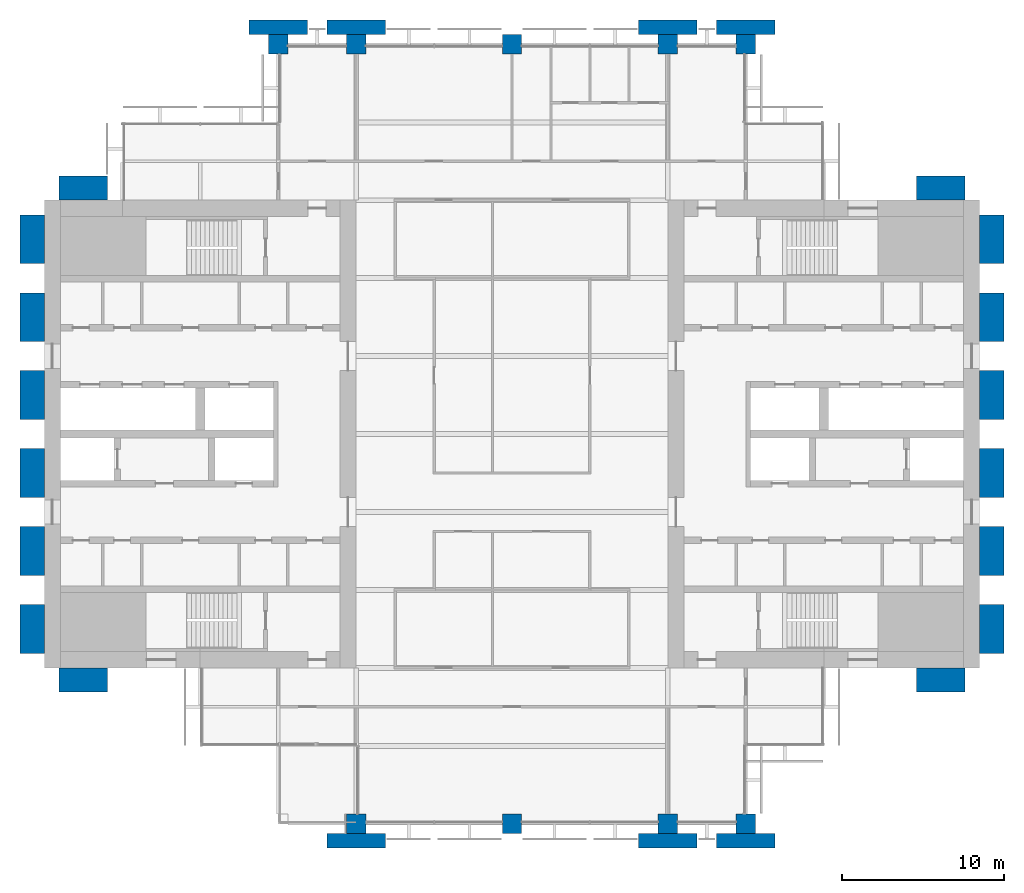
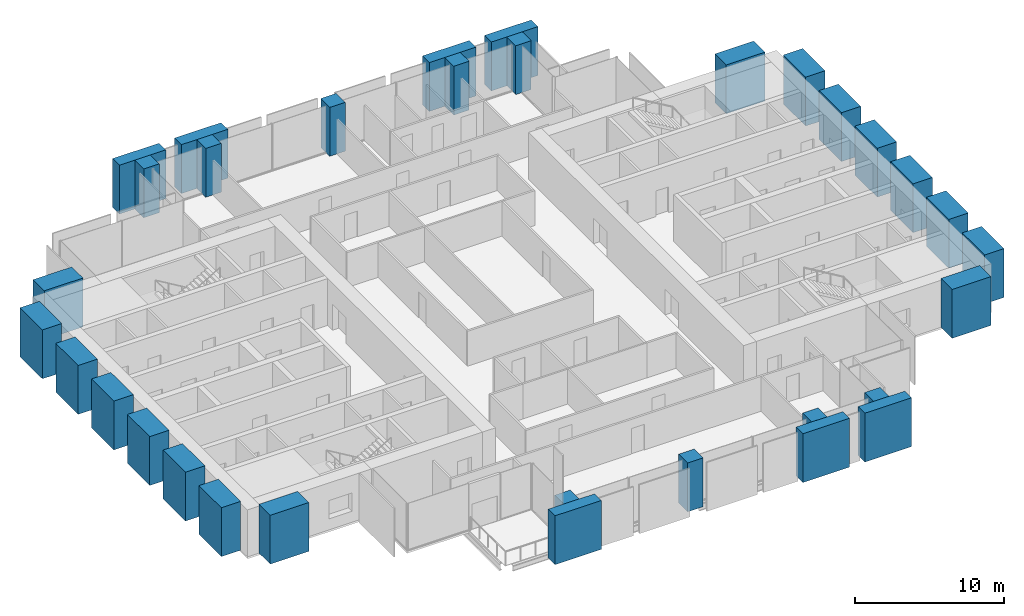
# One storey, part 1 of 14: 32 columns.
"""IFC4 building model written with IfcOpenShell, lengths in metres."""

from ifc_helpers import new_model, si_unit, direction, frame, origin, origin_2d, place, context, subcontext, project, spatial, rectangle, extrude, material, material_profile, profile_set, type_object, element, save


model = new_model("IFC4")

# Units and contexts
model_context = context("Model", 3, precision=1e-05, world=origin(), true_north=direction((0.0, 1.0)))
body_context = subcontext(model_context, "Body", "Model", "MODEL_VIEW")
ifc_project = project(units=[si_unit("LENGTHUNIT", "METRE"), si_unit("AREAUNIT", "SQUARE_METRE"), si_unit("VOLUMEUNIT", "CUBIC_METRE"), si_unit("PLANEANGLEUNIT", "RADIAN"), si_unit("MASSUNIT", "GRAM", prefix="KILO")], contexts=[model_context])

# Site, building, storey
site_placement = place(None, origin())
site = spatial("IfcSite", under=ifc_project, at=site_placement, CompositionType="ELEMENT")
building_placement = place(site_placement, origin())
building = spatial("IfcBuilding", under=site, at=building_placement, Name="Baori Bourse Tower", CompositionType="ELEMENT")
storey_placement = place(building_placement, frame((0.0, 0.0, 148.10009765625)))
storey = spatial("IfcBuildingStorey", under=building, at=storey_placement, Name="L32", CompositionType="ELEMENT", Elevation=148.10009765625)

# Columns
ifc_material_1 = material(Name="Concrete f'c 60 MPa", Category="concrete")
ifc_material_profile_1 = material_profile(ifc_material_1, rectangle(XDim=3.60009765625, YDim=0.89990234375, at=origin_2d()), Name="RC 3600x900")
ifc_profile_set_1 = profile_set([ifc_material_profile_1], Name="Concrete f'c 60 MPa")
column_type_1 = type_object("IfcColumnType", Name="FN3 Brick pilaster 3600x900", PredefinedType="PILASTER", material=ifc_profile_set_1)
for number, where, z_axis, x_axis, name in (
    (1, (19.199951171875, -1.050048828125, 0.0), (0.0, 0.0, 1.0), (1.0, 0.0, 0.0), "Brick pilaster L32 17"),
    (2, (38.39990234375, -1.050048828125, 0.0), (0.0, 0.0, 1.0), (1.0, 0.0, 0.0), "Brick pilaster L32 18"),
    (3, (43.199951171875, -1.050048828125, 0.0), (0.0, 0.0, 1.0), (1.0, 0.0, 0.0), "Brick pilaster L32 19"),
    (4, (14.39990234375, 49.050048828125, 0.0), (0.0, 0.0, 1.0), (1.0, 0.0, 0.0), "Brick pilaster L32 20"),
    (5, (19.199951171875, 49.050048828125, 0.0), (0.0, 0.0, 1.0), (1.0, 0.0, 0.0), "Brick pilaster L32 21"),
    (6, (38.39990234375, 49.050048828125, 0.0), (0.0, 0.0, 1.0), (1.0, 0.0, 0.0), "Brick pilaster L32 22"),
    (7, (43.199951171875, 49.050048828125, 0.0), (0.0, 0.0, 1.0), (1.0, 0.0, 0.0), "Brick pilaster L32 23"),
):
    element("IfcColumn", number, at=place(storey_placement, frame(where, z_axis=z_axis, x_axis=x_axis)), inside=storey, type_object=column_type_1, Name=name, PredefinedType="PILASTER", context=body_context, shape_type="SweptSolid", body=[
        extrude(rectangle(XDim=3.60009765625, YDim=0.89990234375, at=origin_2d()), origin(), (0.0, 0.0, 1.0), 4.0),
    ])
ifc_material_2 = material(Name="Concrete f'c 60 MPa", Category="concrete")
ifc_material_profile_2 = material_profile(ifc_material_2, rectangle(XDim=3.0, YDim=1.5, at=origin_2d()), Name="RC 3000x1500")
ifc_profile_set_2 = profile_set([ifc_material_profile_2], Name="Concrete f'c 60 MPa")
column_type_2 = type_object("IfcColumnType", Name="FN4 Brick flank pilaster 3000x1500", PredefinedType="PILASTER", material=ifc_profile_set_2)
for number, where, z_axis, x_axis, name in (
    (8, (55.199951171875, 8.85009765625, 0.0), (0.0, 0.0, 1.0), (1.0, 0.0, 0.0), "Brick pilaster L32 1"),
    (9, (58.35009765625, 12.0, 0.0), (0.0, 0.0, 1.0), (0.0, 1.0, 0.0), "Brick pilaster L32 2"),
    (10, (58.35009765625, 16.800048828125, 0.0), (0.0, 0.0, 1.0), (0.0, 1.0, 0.0), "Brick pilaster L32 3"),
    (11, (58.35009765625, 21.60009765625, 0.0), (0.0, 0.0, 1.0), (0.0, 1.0, 0.0), "Brick pilaster L32 4"),
    (12, (58.35009765625, 26.39990234375, 0.0), (0.0, 0.0, 1.0), (0.0, 1.0, 0.0), "Brick pilaster L32 5"),
    (13, (58.35009765625, 31.199951171875, 0.0), (0.0, 0.0, 1.0), (0.0, 1.0, 0.0), "Brick pilaster L32 6"),
    (14, (58.35009765625, 36.0, 0.0), (0.0, 0.0, 1.0), (0.0, 1.0, 0.0), "Brick pilaster L32 7"),
    (15, (55.199951171875, 39.14990234375, 0.0), (0.0, 0.0, 1.0), (1.0, 0.0, 0.0), "Brick pilaster L32 8"),
    (16, (2.39990234375, 39.14990234375, 0.0), (0.0, 0.0, 1.0), (1.0, 0.0, 0.0), "Brick pilaster L32 9"),
    (17, (-0.75, 12.0, 0.0), (0.0, 0.0, 1.0), (0.0, 1.0, 0.0), "Brick pilaster L32 10"),
    (18, (-0.75, 16.800048828125, 0.0), (0.0, 0.0, 1.0), (0.0, 1.0, 0.0), "Brick pilaster L32 11"),
    (19, (-0.75, 21.60009765625, 0.0), (0.0, 0.0, 1.0), (0.0, 1.0, 0.0), "Brick pilaster L32 12"),
    (20, (-0.75, 26.39990234375, 0.0), (0.0, 0.0, 1.0), (0.0, 1.0, 0.0), "Brick pilaster L32 13"),
    (21, (-0.75, 31.199951171875, 0.0), (0.0, 0.0, 1.0), (0.0, 1.0, 0.0), "Brick pilaster L32 14"),
    (22, (-0.75, 36.0, 0.0), (0.0, 0.0, 1.0), (0.0, 1.0, 0.0), "Brick pilaster L32 15"),
    (23, (2.39990234375, 8.85009765625, 0.0), (0.0, 0.0, 1.0), (1.0, 0.0, 0.0), "Brick pilaster L32 16"),
):
    element("IfcColumn", number, at=place(storey_placement, frame(where, z_axis=z_axis, x_axis=x_axis)), inside=storey, type_object=column_type_2, Name=name, PredefinedType="PILASTER", context=body_context, shape_type="SweptSolid", body=[
        extrude(rectangle(XDim=3.0, YDim=1.5, at=origin_2d()), origin(), (0.0, 0.0, 1.0), 4.0),
    ])
ifc_material_3 = material(Name="Concrete f'c 60 MPa", Category="concrete")
ifc_material_profile_3 = material_profile(ifc_material_3, rectangle(XDim=1.199951171875, YDim=1.199951171875, at=origin_2d()), Name="RC 1200x1200")
ifc_profile_set_3 = profile_set([ifc_material_profile_3], Name="Concrete f'c 60 MPa")
column_type_3 = type_object("IfcColumnType", Name="Perimeter column 60 RC 1200x1200", PredefinedType="COLUMN", material=ifc_profile_set_3)
for number, where, z_axis, x_axis, name in (
    (24, (19.199951171875, 0.0, 0.0), (0.0, 0.0, 1.0), (1.0, 0.0, 0.0), "Perimeter column L32"),
    (25, (28.800048828125, 0.0, 0.0), (0.0, 0.0, 1.0), (1.0, 0.0, 0.0), "Perimeter column L32"),
    (26, (38.39990234375, 0.0, 0.0), (0.0, 0.0, 1.0), (1.0, 0.0, 0.0), "Perimeter column L32"),
    (27, (43.199951171875, 0.0, 0.0), (0.0, 0.0, 1.0), (1.0, 0.0, 0.0), "Perimeter column L32"),
    (28, (14.39990234375, 48.0, 0.0), (0.0, 0.0, 1.0), (1.0, 0.0, 0.0), "Perimeter column L32"),
    (29, (19.199951171875, 48.0, 0.0), (0.0, 0.0, 1.0), (1.0, 0.0, 0.0), "Perimeter column L32"),
    (30, (28.800048828125, 48.0, 0.0), (0.0, 0.0, 1.0), (1.0, 0.0, 0.0), "Perimeter column L32"),
    (31, (38.39990234375, 48.0, 0.0), (0.0, 0.0, 1.0), (1.0, 0.0, 0.0), "Perimeter column L32"),
    (32, (43.199951171875, 48.0, 0.0), (0.0, 0.0, 1.0), (1.0, 0.0, 0.0), "Perimeter column L32"),
):
    element("IfcColumn", number, at=place(storey_placement, frame(where, z_axis=z_axis, x_axis=x_axis)), inside=storey, type_object=column_type_3, Name=name, PredefinedType="COLUMN", context=body_context, shape_type="SweptSolid", body=[
        extrude(rectangle(XDim=1.199951171875, YDim=1.199951171875, at=origin_2d()), origin(), (0.0, 0.0, 1.0), 4.0),
    ])

save(model, "model.ifc")
